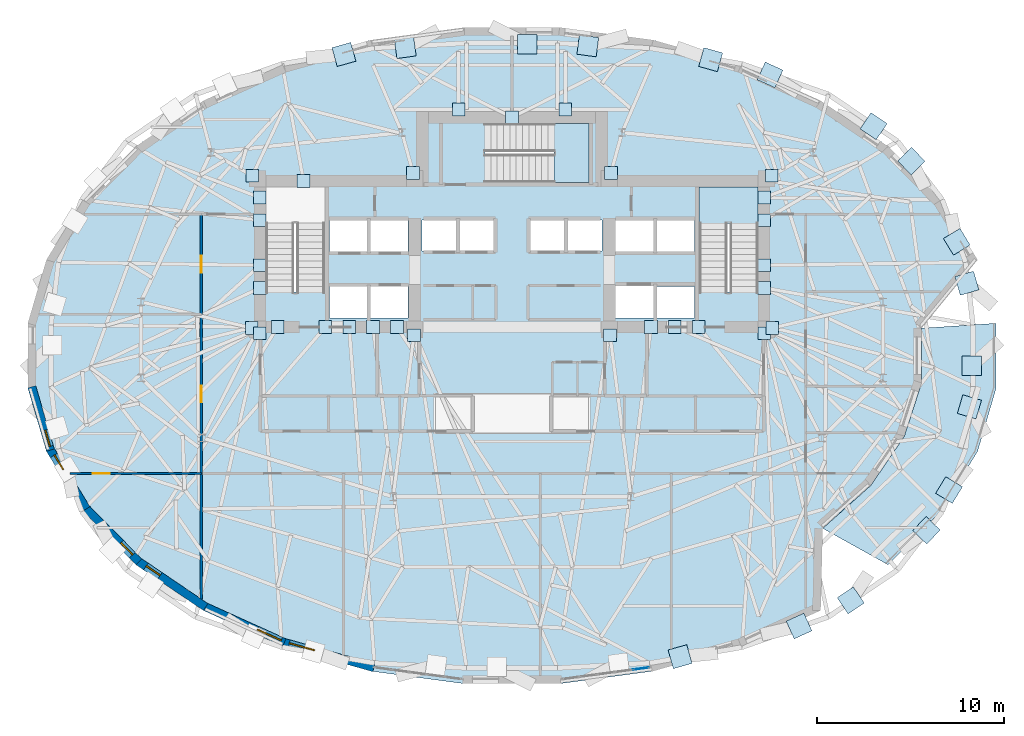
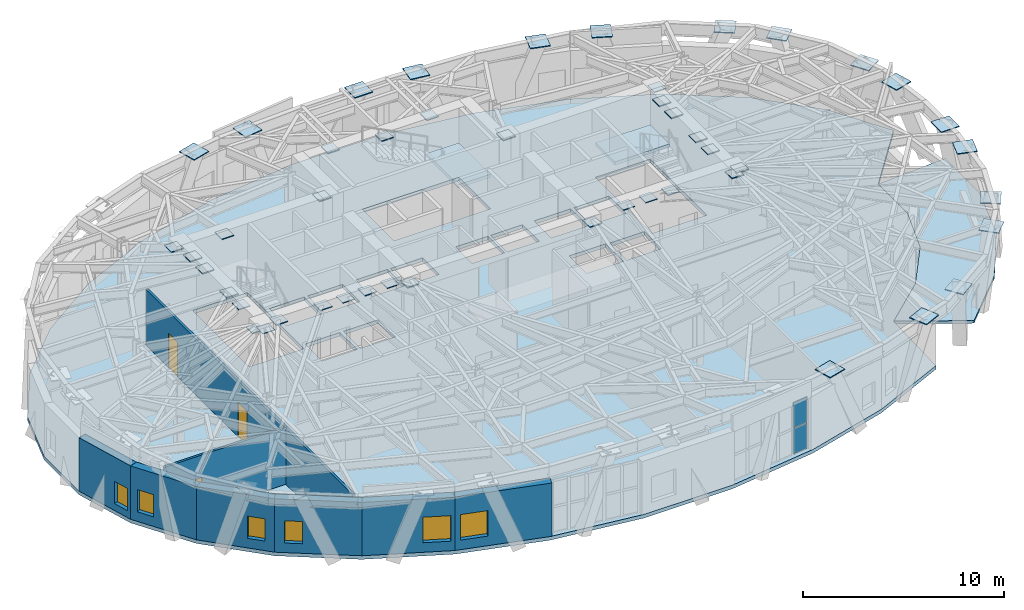
# One storey, part 7 of 16: 49 plates, 8 walls, 6 windows, 4 slabs, 3 doors, 9 openings, 3 elements without a shape of their own.
"""IFC4 building model written with IfcOpenShell, lengths in metres."""

import ifcopenshell
import ifcopenshell.guid

model = None  # the IFC model being written
_history = None  # IfcOwnerHistory: only IFC2X3 demands one
_inside = {}  # id of a spatial element -> (the spatial element, [elements in it])
_under = {}  # id of a project, library or spatial element -> (it, [spatial elements below it])
_declared = {}  # id of a project -> (the project, [libraries it declares])
_typed = {}  # id of a type object -> (the type object, [elements of that type])
_made_of = {}  # id of a material, layer set ... -> (it, [elements and type objects made of it])


def new_model(schema):
    """Start an empty IFC model of exactly this schema.

    Asked for "IFC4X3", IfcOpenShell would pick the latest addendum, in which some entities
    have other attributes; the version numbers below select the first issue.
    IFC2X3 requires an IfcOwnerHistory on every rooted entity: one is made here for all.
    """
    global model, _history
    if schema == "IFC4X3":
        model = ifcopenshell.file(schema_version=(4, 3, 0, 0))
    else:
        model = ifcopenshell.file(schema=schema)
    _inside.clear()
    _under.clear()
    _declared.clear()
    _typed.clear()
    _made_of.clear()
    _history = None
    if model.schema == "IFC2X3":
        org = make("IfcOrganization", Name="unknown")
        user = make(
            "IfcPersonAndOrganization",
            ThePerson=make("IfcPerson", FamilyName="unknown"),
            TheOrganization=org,
        )
        app = make(
            "IfcApplication",
            ApplicationDeveloper=org,
            Version="unknown",
            ApplicationFullName="unknown",
            ApplicationIdentifier="unknown",
        )
        _history = make(
            "IfcOwnerHistory",
            OwningUser=user,
            OwningApplication=app,
            ChangeAction="ADDED",
            CreationDate=0,
        )
    return model


def make(cls, **values):
    """One entity of the class cls with the attributes given. An attribute that is None is left unset."""
    return model.create_entity(
        cls, **{name: value for name, value in values.items() if value is not None}
    )


def rooted(cls, **values):
    """An entity with a GlobalId (a new one), such as an element, a storey or a relation."""
    return make(cls, GlobalId=ifcopenshell.guid.new(), OwnerHistory=_history, **values)


def si_unit(unit_type, name, prefix=None):
    """IfcSIUnit, for example si_unit("LENGTHUNIT", "METRE", prefix="MILLI")."""
    return make("IfcSIUnit", UnitType=unit_type, Prefix=prefix, Name=name)


def assignment(units):
    """IfcUnitAssignment: the units of a project."""
    return None if units is None else make("IfcUnitAssignment", Units=units)


def point(xyz):
    """IfcCartesianPoint."""
    return None if xyz is None else make("IfcCartesianPoint", Coordinates=xyz)


def direction(xyz):
    """IfcDirection."""
    return None if xyz is None else make("IfcDirection", DirectionRatios=xyz)


def frame(location, z_axis=None, x_axis=None):
    """IfcAxis2Placement3D, a coordinate frame: its origin and axes. An axis left out is left unset."""
    return make(
        "IfcAxis2Placement3D",
        Location=point(location),
        Axis=direction(z_axis),
        RefDirection=direction(x_axis),
    )


def frame_2d(location, x_axis=None):
    """IfcAxis2Placement2D, a coordinate frame in the plane: its origin and x axis."""
    return make(
        "IfcAxis2Placement2D", Location=point(location), RefDirection=direction(x_axis)
    )


def origin():
    """The frame at (0, 0, 0) with its axes left unset."""
    return frame((0.0, 0.0, 0.0))


def origin_2d():
    """The frame at (0, 0) in the plane with its x axis left unset."""
    return frame_2d((0.0, 0.0))


def place(relative_to, where):
    """IfcLocalPlacement: puts the frame where relative to a parent placement (None: the world)."""
    return make(
        "IfcLocalPlacement", PlacementRelTo=relative_to, RelativePlacement=where
    )


def context(
    kind, dimensions, precision=None, world=None, true_north=None, identifier=None
):
    """IfcGeometricRepresentationContext, for example the 3D "Model" context."""
    return make(
        "IfcGeometricRepresentationContext",
        ContextIdentifier=identifier,
        ContextType=kind,
        CoordinateSpaceDimension=dimensions,
        Precision=precision,
        WorldCoordinateSystem=world,
        TrueNorth=true_north,
    )


def subcontext(parent, identifier, kind, view, scale=None):
    """IfcGeometricRepresentationSubContext, for example "Body" below "Model"."""
    return make(
        "IfcGeometricRepresentationSubContext",
        ContextIdentifier=identifier,
        ContextType=kind,
        ParentContext=parent,
        TargetScale=scale,
        TargetView=view,
    )


def project(units=None, contexts=None):
    """IfcProject with its units and contexts."""
    return rooted(
        "IfcProject",
        Name="project",
        RepresentationContexts=contexts,
        UnitsInContext=assignment(units),
    )


def spatial(cls, under=None, at=None, **own):
    """A site, building, storey or space (cls), placed at a placement, below another one or the project."""
    s = rooted(cls, ObjectPlacement=at, **own)
    if under is not None:
        _under.setdefault(under.id(), (under, []))[1].append(s)
    return s


def polyline(points):
    """IfcPolyline through the points."""
    return make("IfcPolyline", Points=[point(p) for p in points])


def profile(cls, at=None, kind="AREA", **sizes):
    """A parametric profile (cls). Its sizes go by their IFC names, for example OverallWidth=200.0."""
    return make(cls, ProfileType=kind, Position=at, **sizes)


def rectangle(**sizes):
    """IfcRectangleProfileDef."""
    return profile("IfcRectangleProfileDef", **sizes)


def outline(outer, holes=None, kind="AREA"):
    """IfcArbitraryClosedProfileDef: a profile drawn as a closed curve; with holes, ...WithVoids."""
    if holes is None:
        return make("IfcArbitraryClosedProfileDef", ProfileType=kind, OuterCurve=outer)
    return make(
        "IfcArbitraryProfileDefWithVoids",
        ProfileType=kind,
        OuterCurve=outer,
        InnerCurves=holes,
    )


def extrude(swept, where, along, depth):
    """IfcExtrudedAreaSolid: the profile swept, set in the frame where, extruded along a direction by depth."""
    return make(
        "IfcExtrudedAreaSolid",
        SweptArea=swept,
        Position=where,
        ExtrudedDirection=direction(along),
        Depth=depth,
    )


def shape(context_of_items, identifier, shape_type, items):
    """IfcShapeRepresentation: the items that make up one representation, for example the "Body"."""
    return make(
        "IfcShapeRepresentation",
        ContextOfItems=context_of_items,
        RepresentationIdentifier=identifier,
        RepresentationType=shape_type,
        Items=items,
    )


def material(Name=None, Category=None):
    """IfcMaterial."""
    return make("IfcMaterial", Name=Name, Category=Category)


def layer(
    of_material, thickness, ventilated=None, Name=None, Category=None, Priority=None
):
    """IfcMaterialLayer: one layer of a wall or slab, of a material (None: an air gap)."""
    return make(
        "IfcMaterialLayer",
        Material=of_material,
        LayerThickness=thickness,
        IsVentilated=ventilated,
        Name=Name,
        Category=Category,
        Priority=Priority,
    )


def layer_set(layers, Name=None):
    """IfcMaterialLayerSet."""
    return make("IfcMaterialLayerSet", MaterialLayers=layers, LayerSetName=Name)


def made_of(thing, what):
    """Note that an element or type object is made of a material, layer set ...; save() writes the relation."""
    if what is not None:
        _made_of.setdefault(what.id(), (what, []))[1].append(thing)
    return thing


def type_object(cls, material=None, **own):
    """A type object (cls), such as IfcWallType, which elements share."""
    return made_of(rooted(cls, **own), material)


def element(
    cls,
    number,
    at=None,
    inside=None,
    cuts=None,
    type_object=None,
    material=None,
    context=None,
    identifier="Body",
    shape_type=None,
    held_by="IfcProductDefinitionShape",
    body=None,
    shapes=None,
    **own,
):
    """One element of the class cls, such as IfcWall. Its Tag is "e" and its number.

    at: its placement. inside: the storey or other place that contains it. cuts: it is an
    opening in that element (IfcRelVoidsElement). A single representation is given by context,
    identifier, shape_type and body (its items); several are given by shapes. held_by: the class
    of the entity that holds the representations. save() writes the other relations.
    """
    e = rooted(cls, Tag="e%d" % number, ObjectPlacement=at, **own)
    if body is not None:
        shapes = [shape(context, identifier, shape_type, body)]
    if shapes is not None:
        e.Representation = make(held_by, Representations=shapes)
    if inside is not None:
        _inside.setdefault(inside.id(), (inside, []))[1].append(e)
    if cuts is not None:
        rooted(
            "IfcRelVoidsElement", RelatingBuildingElement=cuts, RelatedOpeningElement=e
        )
    if type_object is not None:
        _typed.setdefault(type_object.id(), (type_object, []))[1].append(e)
    return made_of(e, material)


def fill(opening, filler):
    """IfcRelFillsElement: the door or window that sits in an opening."""
    return rooted(
        "IfcRelFillsElement",
        RelatingOpeningElement=opening,
        RelatedBuildingElement=filler,
    )


def aggregate(whole, parts):
    """IfcRelAggregates: a whole, such as a stair, and the parts it consists of."""
    return rooted("IfcRelAggregates", RelatingObject=whole, RelatedObjects=parts)


def save(model, path):
    """Write the relations noted so far, then the file.

    IfcRelAggregates (storeys below a building ...), IfcRelContainedInSpatialStructure (elements
    in a storey), IfcRelDefinesByType, IfcRelAssociatesMaterial and IfcRelDeclares: one each for
    every whole, place, type object, material and project.
    """
    for whole, parts in _under.values():
        aggregate(whole, parts)
    for where, things in _inside.values():
        rooted(
            "IfcRelContainedInSpatialStructure",
            RelatedElements=things,
            RelatingStructure=where,
        )
    for kind, things in _typed.values():
        rooted("IfcRelDefinesByType", RelatedObjects=things, RelatingType=kind)
    for what, things in _made_of.values():
        rooted("IfcRelAssociatesMaterial", RelatedObjects=things, RelatingMaterial=what)
    for by, libraries in _declared.values():
        rooted("IfcRelDeclares", RelatingContext=by, RelatedDefinitions=libraries)
    model.write(path)


model = new_model("IFC4")

# Units and contexts
model_context = context("Model", 3, precision=1e-05, world=origin(), true_north=direction((0.0, 1.0)))
body_context = subcontext(model_context, "Body", "Model", "MODEL_VIEW")
ifc_project = project(units=[si_unit("LENGTHUNIT", "METRE"), si_unit("AREAUNIT", "SQUARE_METRE"), si_unit("VOLUMEUNIT", "CUBIC_METRE"), si_unit("PLANEANGLEUNIT", "RADIAN"), si_unit("MASSUNIT", "GRAM", prefix="KILO")], contexts=[model_context])

# Site, building, storey
site_placement = place(None, origin())
site = spatial("IfcSite", under=ifc_project, at=site_placement, CompositionType="ELEMENT")
building_placement = place(site_placement, origin())
building = spatial("IfcBuilding", under=site, at=building_placement, Name="Keldmark Tower", CompositionType="ELEMENT")
storey_placement = place(building_placement, frame((0.0, 0.0, 139.60009765625)))
storey = spatial("IfcBuildingStorey", under=building, at=storey_placement, Name="L37", CompositionType="ELEMENT", Elevation=139.60009765625)

# Plates
ifc_material_1 = material(Name="Steel ASTM A572 Grade 50", Category="steel")
ifc_layer_1 = layer(ifc_material_1, 0.06005859375)
ifc_layer_set_1 = layer_set([ifc_layer_1], Name="Steel ASTM A572 Grade 50")
plate_type_1 = type_object("IfcPlateType", Name="Belt Truss Kink Node Assembly KN01 60 mm", PredefinedType="USERDEFINED", material=ifc_layer_set_1)
for number, where, z_axis, x_axis, name in (
    (1, (13.91162109375, 1.473388671875, 3.72412109375), (0.0, 0.0, 1.0), (1.0, 0.0, 0.0), "L37 Core Wall Cast-In Embed Plate 1088"),
    (2, (13.878173828125, 9.608154296875, 3.72412109375), (0.0, 0.0, 1.0), (1.0, 0.0, 0.0), "L37 Core Wall Cast-In Embed Plate 1089"),
    (3, (5.28515625, 9.758544921875, 3.72412109375), (0.0, 0.0, 1.0), (1.0, 0.0, 0.0), "L37 Core Wall Cast-In Embed Plate 1090"),
    (4, (-5.28515625, 9.758544921875, 3.72412109375), (0.0, 0.0, 1.0), (1.0, 0.0, 0.0), "L37 Core Wall Cast-In Embed Plate 1091"),
    (5, (-13.878173828125, 9.608154296875, 3.72412109375), (0.0, 0.0, 1.0), (1.0, 0.0, 0.0), "L37 Core Wall Cast-In Embed Plate 1092"),
    (6, (-13.91162109375, 1.473388671875, 3.72412109375), (0.0, 0.0, 1.0), (1.0, 0.0, 0.0), "L37 Core Wall Cast-In Embed Plate 1093"),
    (7, (-5.24072265625, 1.08251953125, 3.72412109375), (0.0, 0.0, 1.0), (1.0, 0.0, 0.0), "L37 Core Wall Cast-In Embed Plate 1094"),
    (8, (5.24072265625, 1.08251953125, 3.72412109375), (0.0, 0.0, 1.0), (1.0, 0.0, 0.0), "L37 Core Wall Cast-In Embed Plate 1095"),
    (9, (13.47509765625, 8.44287109375, 3.72412109375), (0.0, 0.0, 1.0), (1.0, 0.0, 0.0), "L37 Core Wall Cast-In Embed Plate 1096"),
    (10, (-13.47509765625, 8.44287109375, 3.72412109375), (0.0, 0.0, 1.0), (1.0, 0.0, 0.0), "L37 Core Wall Cast-In Embed Plate 1097"),
    (11, (-7.425048828125, 1.52490234375, 3.72412109375), (0.0, 0.0, 1.0), (1.0, 0.0, 0.0), "L37 Core Wall Cast-In Embed Plate 1098"),
    (12, (7.425048828125, 1.52490234375, 3.72412109375), (0.0, 0.0, 1.0), (1.0, 0.0, 0.0), "L37 Core Wall Cast-In Embed Plate 1099"),
    (13, (-9.97509765625, 1.52490234375, 3.72412109375), (0.0, 0.0, 1.0), (1.0, 0.0, 0.0), "L37 Core Wall Cast-In Embed Plate 1100"),
    (14, (13.47509765625, 1.199951171875, 3.72412109375), (0.0, 0.0, 1.0), (1.0, 0.0, 0.0), "L37 Core Wall Cast-In Embed Plate 1101"),
    (15, (13.47509765625, 3.6142578125, 3.72412109375), (0.0, 0.0, 1.0), (1.0, 0.0, 0.0), "L37 Core Wall Cast-In Embed Plate 1102"),
    (16, (13.47509765625, 4.8212890625, 3.72412109375), (0.0, 0.0, 1.0), (1.0, 0.0, 0.0), "L37 Core Wall Cast-In Embed Plate 1103"),
    (17, (13.47509765625, 7.235595703125, 3.72412109375), (0.0, 0.0, 1.0), (1.0, 0.0, 0.0), "L37 Core Wall Cast-In Embed Plate 1104"),
    (18, (-13.47509765625, 7.235595703125, 3.72412109375), (0.0, 0.0, 1.0), (1.0, 0.0, 0.0), "L37 Core Wall Cast-In Embed Plate 1105"),
    (19, (-13.47509765625, 4.8212890625, 3.72412109375), (0.0, 0.0, 1.0), (1.0, 0.0, 0.0), "L37 Core Wall Cast-In Embed Plate 1106"),
    (20, (-13.47509765625, 3.6142578125, 3.72412109375), (0.0, 0.0, 1.0), (1.0, 0.0, 0.0), "L37 Core Wall Cast-In Embed Plate 1107"),
    (21, (-12.52490234375, 1.52490234375, 3.72412109375), (0.0, 0.0, 1.0), (1.0, 0.0, 0.0), "L37 Core Wall Cast-In Embed Plate 1108"),
    (22, (-13.47509765625, 1.199951171875, 3.72412109375), (0.0, 0.0, 1.0), (1.0, 0.0, 0.0), "L37 Core Wall Cast-In Embed Plate 1109"),
    (23, (-8.699951171875, 1.52490234375, 3.72412109375), (0.0, 0.0, 1.0), (1.0, 0.0, 0.0), "L37 Core Wall Cast-In Embed Plate 1110"),
    (24, (-6.14990234375, 1.52490234375, 3.72412109375), (0.0, 0.0, 1.0), (1.0, 0.0, 0.0), "L37 Core Wall Cast-In Embed Plate 1111"),
    (25, (9.97509765625, 1.52490234375, 3.72412109375), (0.0, 0.0, 1.0), (1.0, 0.0, 0.0), "L37 Core Wall Cast-In Embed Plate 1112"),
    (26, (8.699951171875, 1.52490234375, 3.72412109375), (0.0, 0.0, 1.0), (1.0, 0.0, 0.0), "L37 Core Wall Cast-In Embed Plate 1113"),
    (27, (-2.85009765625, 13.14990234375, 3.72412109375), (0.0, 0.0, 1.0), (1.0, 0.0, 0.0), "L37 Core Wall Cast-In Embed Plate 1114"),
    (28, (2.85009765625, 13.14990234375, 3.72412109375), (0.0, 0.0, 1.0), (1.0, 0.0, 0.0), "L37 Core Wall Cast-In Embed Plate 1115"),
    (29, (0.0, 12.72509765625, 3.72412109375), (0.0, 0.0, 1.0), (1.0, 0.0, 0.0), "L37 Core Wall Cast-In Embed Plate 1116"),
    (30, (-11.1357421875, 9.324951171875, 3.72412109375), (0.0, 0.0, 1.0), (1.0, 0.0, 0.0), "L37 Core Wall Cast-In Embed Plate 1117"),
):
    element("IfcPlate", number, at=place(storey_placement, frame(where, z_axis=z_axis, x_axis=x_axis)), inside=storey, type_object=plate_type_1, Name=name, ObjectType="CAP PLATE", PredefinedType="USERDEFINED", context=body_context, shape_type="SweptSolid", body=[
        extrude(rectangle(XDim=0.679931640625, YDim=0.679931640625, at=origin_2d()), origin(), (0.0, 0.0, 1.0), 0.054931640625),
    ])
ifc_material_2 = material(Name="Steel ASTM A572 Grade 50", Category="steel")
ifc_layer_2 = layer(ifc_material_2, 0.054931640625)
ifc_layer_set_2 = layer_set([ifc_layer_2], Name="Steel ASTM A572 Grade 50")
plate_type_2 = type_object("IfcPlateType", Name="Diagrid Node Assembly DN03 55 mm", PredefinedType="USERDEFINED", material=ifc_layer_set_2)
for number, where, z_axis, x_axis, name in (
    (31, (24.310302734375, 3.864990234375, 3.87255859375), (0.0, 0.0, 1.0), (-0.281671660596, 0.959510852267, 0.0), "L37 Diagrid Node Assembly 01"),
    (32, (23.76611328125, 6.081787109375, 3.87255859375), (0.0, 0.0, 1.0), (-0.521456478554, 0.85327788028, 0.0), "L37 Diagrid Node Assembly 02"),
    (33, (21.344482421875, 10.387939453125, 3.87255859375), (0.0, 0.0, 1.0), (-0.702153052995, 0.712026045991, 0.0), "L37 Diagrid Node Assembly 03"),
    (34, (19.322509765625, 12.255859375, 3.87255859375), (0.0, 0.0, 1.0), (-0.827864584251, 0.560928007986, 0.0), "L37 Diagrid Node Assembly 04"),
    (35, (13.790283203125, 14.99755859375, 3.87255859375), (0.0, 0.0, 1.0), (-0.910971840153, 0.412468552072, 0.0), "L37 Diagrid Node Assembly 05"),
    (36, (10.615478515625, 15.813232421875, 3.87255859375), (0.0, 0.0, 1.0), (-0.962786145149, 0.270264386684, 0.0), "L37 Diagrid Node Assembly 06"),
    (37, (4.05078125, 16.5498046875, 3.87255859375), (0.0, 0.0, 1.0), (-0.991029909341, 0.133640258869, 0.0), "L37 Diagrid Node Assembly 07"),
    (38, (0.802734375, 16.635986328125, 3.87255859375), (0.0, 0.0, 1.0), (-1.0, 0.0, 0.0), "L37 Diagrid Node Assembly 08"),
    (39, (-5.70458984375, 16.458984375, 3.87255859375), (0.0, 0.0, 1.0), (-0.991029909341, -0.133640258869, 0.0), "L37 Diagrid Node Assembly 09"),
    (40, (-8.98095703125, 16.0908203125, 3.87255859375), (0.0, 0.0, 1.0), (-0.962786145149, -0.270264386684, 0.0), "L37 Diagrid Node Assembly 10"),
    (41, (8.98095703125, -16.0908203125, 3.87255859375), (0.0, 0.0, 1.0), (0.962786145149, 0.270264386684, 0.0), "L37 Diagrid Node Assembly 26"),
    (42, (15.3388671875, -14.45068359375, 3.87255859375), (0.0, 0.0, 1.0), (0.910971840153, 0.412468552072, 0.0), "L37 Diagrid Node Assembly 27"),
    (43, (18.099365234375, -13.082275390625, 3.87255859375), (0.0, 0.0, 1.0), (0.827864584251, 0.560928007986, 0.0), "L37 Diagrid Node Assembly 28"),
    (44, (22.148193359375, -9.3349609375, 3.87255859375), (0.0, 0.0, 1.0), (0.702153052995, 0.712026045991, 0.0), "L37 Diagrid Node Assembly 29"),
    (45, (23.3544921875, -7.186279296875, 3.87255859375), (0.0, 0.0, 1.0), (0.521456478554, 0.85327788028, 0.0), "L37 Diagrid Node Assembly 30"),
    (46, (24.443359375, -2.740234375, 3.87255859375), (0.0, 0.0, 1.0), (0.281671660596, 0.959510852267, 0.0), "L37 Diagrid Node Assembly 31"),
    (47, (24.57177734375, -0.542236328125, 3.87255859375), (0.0, 0.0, 1.0), (0.0, 1.0, 0.0), "L37 Diagrid Node Assembly 32"),
):
    element("IfcPlate", number, at=place(storey_placement, frame(where, z_axis=z_axis, x_axis=x_axis)), inside=storey, type_object=plate_type_2, Name=name, ObjectType="GUSSET", PredefinedType="USERDEFINED", context=body_context, shape_type="SweptSolid", body=[
        extrude(rectangle(XDim=1.0400390625, YDim=1.0400390625, at=origin_2d()), origin(), (0.0, 0.0, 1.0), 0.054931640625),
    ])

# Slab
ifc_material_3 = material(Name="Concrete C35/45", Category="concrete")
ifc_layer_3 = layer(ifc_material_3, 0.1650390625)
ifc_layer_set_3 = layer_set([ifc_layer_3], Name="Concrete C35/45")
slab_type_1 = type_object("IfcSlabType", Name="Planted Sky-Garden Terrace Slab 165 mm", PredefinedType="ROOF", material=ifc_layer_set_3)
slab_1_placement = place(storey_placement, frame((0.0, 0.0, -0.1650390625)))
element("IfcSlab", 48, at=slab_1_placement, inside=storey, type_object=slab_type_1, Name="Planted Sky-Garden Terrace Slab", PredefinedType="ROOF", context=body_context, shape_type="SweptSolid", body=[
    extrude(outline(polyline([(20.098388671875, -11.177978515625), (22.929931640625, -8.305908203125), (24.88037109375, -5.11474609375), (25.874755859375, -1.72705078125), (25.874755859375, 1.72705078125), (21.8837890625, 1.460693359375), (21.8837890625, -1.460693359375), (20.96240234375, -4.309326171875), (19.169189453125, -6.943603515625), (16.6025390625, -9.23388671875), (20.098388671875, -11.177978515625)])), origin(), (0.0, 0.0, 1.0), 0.1650390625),
])

# Stair, slab
ifc_material_4 = material(Name="Concrete C40/50", Category="concrete")
stair_type = type_object("IfcStairType", Name="Precast Concrete Core Exit Stair", PredefinedType="HALF_TURN_STAIR", material=ifc_material_4)
stair_1_placement = place(storey_placement, origin())
stair_1 = element("IfcStair", 49, at=stair_1_placement, inside=storey, type_object=stair_type, Name="L37 Exit Stair ST2", PredefinedType="HALF_TURN_STAIR")
ifc_material_5 = material(Name="Concrete C40/50", Category="concrete")
ifc_layer_4 = layer(ifc_material_5, 0.199951171875)
ifc_layer_set_4 = layer_set([ifc_layer_4], Name="Concrete C40/50")
slab_type_2 = type_object("IfcSlabType", Name="Reinforced Concrete Stair Landing 200 mm", PredefinedType="LANDING", material=ifc_layer_set_4)
slab_2_placement = place(storey_placement, frame((0.0, 0.0, 1.89990234375)))
slab_2 = element("IfcSlab", 50, at=slab_2_placement, type_object=slab_type_2, Name="ST2 landing 1", PredefinedType="LANDING", context=body_context, shape_type="SweptSolid", body=[
    extrude(outline(polyline([(13.14990234375, 7.070068359375), (13.14990234375, 9.0), (10.0, 9.0), (10.0, 7.070068359375), (13.14990234375, 7.070068359375)])), origin(), (0.0, 0.0, 1.0), 0.199951171875),
])
aggregate(stair_1, [slab_2])

stair_2_placement = place(storey_placement, origin())
stair_2 = element("IfcStair", 51, at=stair_2_placement, inside=storey, type_object=stair_type, Name="L37 Exit Stair ST3", PredefinedType="HALF_TURN_STAIR")
slab_3_placement = place(storey_placement, frame((0.0, 0.0, 1.89990234375)))
slab_3 = element("IfcSlab", 52, at=slab_3_placement, type_object=slab_type_2, Name="ST3 landing 1", PredefinedType="LANDING", context=body_context, shape_type="SweptSolid", body=[
    extrude(outline(polyline([(2.2451171875, 9.25), (4.10498046875, 9.25), (4.10498046875, 12.39990234375), (2.2451171875, 12.39990234375), (2.2451171875, 9.25)])), origin(), (0.0, 0.0, 1.0), 0.199951171875),
])
aggregate(stair_2, [slab_3])

# Slab
ifc_material_6 = material(Name="Concrete C35/45", Category="concrete")
ifc_layer_5 = layer(ifc_material_6, 0.219970703125)
ifc_layer_set_5 = layer_set([ifc_layer_5], Name="Concrete C35/45")
slab_type_3 = type_object("IfcSlabType", Name="Sky Lobby Floor Slab 220 mm", PredefinedType="FLOOR", material=ifc_layer_set_5)
slab_4_placement = place(storey_placement, frame((0.0, 0.0, -0.22021484375)))
element("IfcSlab", 53, at=slab_4_placement, inside=storey, type_object=slab_type_3, Name="L37 Composite Structural Floor Slab", PredefinedType="FLOOR", context=body_context, shape_type="SweptSolid", body=[
    extrude(outline(polyline([(21.8837890625, 1.460693359375), (24.88037109375, 5.11474609375), (22.929931640625, 8.305908203125), (20.098388671875, 11.177978515625), (16.494140625, 13.620361328125), (12.25634765625, 15.53955078125), (7.54736328125, 16.861328125), (2.54833984375, 17.53515625), (-2.54833984375, 17.53515625), (-7.54736328125, 16.861328125), (-12.25634765625, 15.53955078125), (-16.494140625, 13.620361328125), (-20.098388671875, 11.177978515625), (-22.929931640625, 8.305908203125), (-24.88037109375, 5.11474609375), (-25.874755859375, 1.72705078125), (-25.874755859375, -1.72705078125), (-24.88037109375, -5.11474609375), (-22.929931640625, -8.305908203125), (-20.098388671875, -11.177978515625), (-16.494140625, -13.620361328125), (-12.25634765625, -15.53955078125), (-7.54736328125, -16.861328125), (-2.54833984375, -17.53515625), (2.54833984375, -17.53515625), (7.54736328125, -16.861328125), (12.25634765625, -15.53955078125), (16.494140625, -13.620361328125), (16.6025390625, -9.23388671875), (19.169189453125, -6.943603515625), (20.96240234375, -4.309326171875), (21.8837890625, -1.460693359375), (21.8837890625, 1.460693359375)]), holes=[polyline([(-10.0, 3.385009765625), (-10.0, 9.0), (-13.14990234375, 9.0), (-13.14990234375, 3.385009765625), (-10.0, 3.385009765625)]), polyline([(13.14990234375, 3.385009765625), (13.14990234375, 9.0), (10.0, 9.0), (10.0, 3.385009765625), (13.14990234375, 3.385009765625)]), polyline([(-1.43994140625, 9.25), (4.10498046875, 9.25), (4.10498046875, 12.39990234375), (-1.43994140625, 12.39990234375), (-1.43994140625, 9.25)]), polyline([(-9.75, 2.0), (-7.75, 2.0), (-7.75, 3.699951171875), (-9.75, 3.699951171875), (-9.75, 2.0)]), polyline([(7.75, 2.0), (9.75, 2.0), (9.75, 3.699951171875), (7.75, 3.699951171875), (7.75, 2.0)]), polyline([(5.449951171875, 2.0), (7.550048828125, 2.0), (7.550048828125, 3.75), (5.449951171875, 3.75), (5.449951171875, 2.0)]), polyline([(-4.800048828125, 5.60009765625), (-2.949951171875, 5.60009765625), (-2.949951171875, 7.25), (-4.800048828125, 7.25), (-4.800048828125, 5.60009765625)]), polyline([(-2.800048828125, 5.60009765625), (-0.949951171875, 5.60009765625), (-0.949951171875, 7.25), (-2.800048828125, 7.25), (-2.800048828125, 5.60009765625)]), polyline([(0.949951171875, 5.60009765625), (2.800048828125, 5.60009765625), (2.800048828125, 7.25), (0.949951171875, 7.25), (0.949951171875, 5.60009765625)]), polyline([(2.949951171875, 5.60009765625), (4.800048828125, 5.60009765625), (4.800048828125, 7.25), (2.949951171875, 7.25), (2.949951171875, 5.60009765625)]), polyline([(-9.75, 5.550048828125), (-7.75, 5.550048828125), (-7.75, 7.25), (-9.75, 7.25), (-9.75, 5.550048828125)]), polyline([(-7.550048828125, 5.550048828125), (-5.550048828125, 5.550048828125), (-5.550048828125, 7.25), (-7.550048828125, 7.25), (-7.550048828125, 5.550048828125)]), polyline([(-7.550048828125, 2.0), (-5.550048828125, 2.0), (-5.550048828125, 3.699951171875), (-7.550048828125, 3.699951171875), (-7.550048828125, 2.0)]), polyline([(5.449951171875, 5.550048828125), (7.550048828125, 5.550048828125), (7.550048828125, 7.25), (5.449951171875, 7.25), (5.449951171875, 5.550048828125)]), polyline([(7.75, 5.550048828125), (9.75, 5.550048828125), (9.75, 7.25), (7.75, 7.25), (7.75, 5.550048828125)])]), origin(), (0.0, 0.0, 1.0), 0.22021484375),
])

# Curtain wall, plates
ifc_material_7 = material(Name="Unitized Thermally Broken Aluminum and Triple Low-E Glazing", Category="aluminium")
ifc_layer_6 = layer(ifc_material_7, 0.219970703125)
ifc_layer_set_6 = layer_set([ifc_layer_6], Name="Unitized Thermally Broken Aluminum and Triple Low-E Glazing")
curtain_wall_type = type_object("IfcCurtainWallType", Name="Sky Lobby Amenity Curtain Wall System", PredefinedType="NOTDEFINED", material=ifc_layer_set_6)
curtain_wall_placement = place(storey_placement, origin())
curtain_wall = element("IfcCurtainWall", 54, at=curtain_wall_placement, inside=storey, type_object=curtain_wall_type, Name="L37 Sky Lobby Amenity Curtain Wall System CW-L37-25", PredefinedType="NOTDEFINED")
ifc_material_8 = material(Name="Triple Silver Low-E Insulated Glass Unit", Category="glass")
ifc_layer_7 = layer(ifc_material_8, 0.035888671875)
ifc_layer_set_7 = layer_set([ifc_layer_7], Name="Triple Silver Low-E Insulated Glass Unit")
plate_type_3 = type_object("IfcPlateType", Name="Triple Low-E Vision Glazing Panel 36 mm", PredefinedType="CURTAIN_PANEL", material=ifc_layer_set_7)
plate_1_placement = place(storey_placement, frame((6.892333984375, -16.7275390625, 0.06005859375), z_axis=(0.0, 0.0, 1.0), x_axis=(-0.991035667397, -0.133597552172, 0.0)))
plate_1 = element("IfcPlate", 55, at=plate_1_placement, type_object=plate_type_3, Name="CW panel 1.1", PredefinedType="CURTAIN_PANEL", context=body_context, shape_type="SweptSolid", body=[
    extrude(rectangle(XDim=0.86279296875, YDim=0.035888671875, at=origin_2d()), origin(), (0.0, 0.0, 1.0), 1.529052734375),
])
plate_2_placement = place(storey_placement, frame((6.892333984375, -16.7275390625, 1.64892578125), z_axis=(0.0, 0.0, 1.0), x_axis=(-0.991035667397, -0.133597552172, 0.0)))
plate_2 = element("IfcPlate", 56, at=plate_2_placement, type_object=plate_type_3, Name="CW panel 1.2", PredefinedType="CURTAIN_PANEL", context=body_context, shape_type="SweptSolid", body=[
    extrude(rectangle(XDim=0.86279296875, YDim=0.035888671875, at=origin_2d()), origin(), (0.0, 0.0, 1.0), 1.529052734375),
])
aggregate(curtain_wall, [plate_1, plate_2])

# Wall, openings, doors
ifc_material_9 = material(Name="Acoustic Double-Layer Gypsum Corridor Partition", Category="gypsum")
ifc_layer_8 = layer(ifc_material_9, 0.139892578125)
ifc_layer_set_8 = layer_set([ifc_layer_8], Name="Acoustic Double-Layer Gypsum Corridor Partition")
wall_type_1 = type_object("IfcWallType", Name="Acoustic Corridor Partition 140 mm", PredefinedType="PARTITIONING", material=ifc_layer_set_8)
wall_1_placement = place(storey_placement, frame((-16.60009765625, -13.007568359375, 0.0), z_axis=(0.0, 0.0, 1.0), x_axis=(0.0, 1.0, 0.0)))
wall_1 = element("IfcWall", 57, at=wall_1_placement, inside=storey, type_object=wall_type_1, Name="L37 Acoustic Corridor Partition 140 mm COR-W", PredefinedType="PARTITIONING", context=body_context, shape_type="SweptSolid", body=[
    extrude(rectangle(XDim=20.5576171875, YDim=0.139892578125, at=frame_2d((10.27880859375, 0.0))), origin(), (0.0, 0.0, 1.0), 3.39794921875),
])
opening_1_placement = place(wall_1_placement, frame((10.5078125, 0.0, 0.0)))
opening_1 = element("IfcOpeningElement", 58, at=opening_1_placement, cuts=wall_1, Name="Opening D-IN090", PredefinedType="OPENING", context=body_context, shape_type="SweptSolid", body=[
    extrude(rectangle(XDim=0.89990234375, YDim=2.10009765625, at=frame_2d((0.449951171875, 1.050048828125))), frame((0.0, 0.079833984375, 0.0), z_axis=(0.0, -1.0, 0.0), x_axis=(1.0, 0.0, 0.0)), (0.0, 0.0, 1.0), 0.159912109375),
])
opening_2_placement = place(wall_1_placement, frame((17.4326171875, 0.0, 0.0)))
opening_2 = element("IfcOpeningElement", 59, at=opening_2_placement, cuts=wall_1, Name="Opening D-IN090", PredefinedType="OPENING", context=body_context, shape_type="SweptSolid", body=[
    extrude(rectangle(XDim=0.89990234375, YDim=2.10009765625, at=frame_2d((0.449951171875, 1.050048828125))), frame((0.0, 0.079833984375, 0.0), z_axis=(0.0, -1.0, 0.0), x_axis=(1.0, 0.0, 0.0)), (0.0, 0.0, 1.0), 0.159912109375),
])
ifc_material_10 = material(Name="Stained American White Oak Veneer", Category="wood")
door_type = type_object("IfcDoorType", Name="Interior Door 900x2100", OperationType="NOTDEFINED", PredefinedType="DOOR", material=ifc_material_10)
door_1_placement = place(opening_1_placement, origin())
door_1 = element("IfcDoor", 60, at=door_1_placement, inside=storey, type_object=door_type, Name="L37 Interior Door 900x2100 D-WR-1-L37", OperationType="SINGLE_SWING_RIGHT", OverallHeight=2.10009765625, OverallWidth=0.89990234375, PredefinedType="DOOR", context=body_context, shape_type="SweptSolid", body=[
    extrude(rectangle(XDim=0.89990234375, YDim=2.10009765625, at=frame_2d((0.449951171875, 1.050048828125))), frame((0.0, 0.02490234375, 0.0), z_axis=(0.0, -1.0, 0.0), x_axis=(1.0, 0.0, 0.0)), (0.0, 0.0, 1.0), 0.050048828125),
])
fill(opening_1, door_1)
door_2_placement = place(opening_2_placement, origin())
door_2 = element("IfcDoor", 61, at=door_2_placement, inside=storey, type_object=door_type, Name="L37 Interior Door 900x2100 D-WR-2-L37", OperationType="SINGLE_SWING_RIGHT", OverallHeight=2.10009765625, OverallWidth=0.89990234375, PredefinedType="DOOR", context=body_context, shape_type="SweptSolid", body=[
    extrude(rectangle(XDim=0.89990234375, YDim=2.10009765625, at=frame_2d((0.449951171875, 1.050048828125))), frame((0.0, 0.02490234375, 0.0), z_axis=(0.0, -1.0, 0.0), x_axis=(1.0, 0.0, 0.0)), (0.0, 0.0, 1.0), 0.050048828125),
])
fill(opening_2, door_2)

# Wall, opening, door
ifc_material_11 = material(Name="Acoustic Gypsum Board Interior Partition", Category="gypsum")
ifc_layer_9 = layer(ifc_material_11, 0.1298828125)
ifc_layer_set_9 = layer_set([ifc_layer_9], Name="Acoustic Gypsum Board Interior Partition")
wall_type_2 = type_object("IfcWallType", Name="Interior Partition 130 mm", PredefinedType="PARTITIONING", material=ifc_layer_set_9)
wall_2_placement = place(storey_placement, frame((-23.631103515625, -6.300048828125, 0.0), z_axis=(0.0, 0.0, 1.0), x_axis=(1.0, 0.0, 0.0)))
wall_2 = element("IfcWall", 62, at=wall_2_placement, inside=storey, type_object=wall_type_2, Name="L37 Interior Partition 130 mm W-CAP-S", PredefinedType="PARTITIONING", context=body_context, shape_type="SweptSolid", body=[
    extrude(rectangle(XDim=7.031005859375, YDim=0.1298828125, at=frame_2d((3.515625, 0.0))), origin(), (0.0, 0.0, 1.0), 3.472900390625),
])
opening_3_placement = place(wall_2_placement, frame((1.22998046875, 0.0, 0.0)))
opening_3 = element("IfcOpeningElement", 63, at=opening_3_placement, cuts=wall_2, Name="Opening D-IN090", PredefinedType="OPENING", context=body_context, shape_type="SweptSolid", body=[
    extrude(rectangle(XDim=0.89990234375, YDim=2.10009765625, at=frame_2d((0.449951171875, 1.050048828125))), frame((0.0, 0.074951171875, 0.0), z_axis=(0.0, -1.0, 0.0), x_axis=(1.0, 0.0, 0.0)), (0.0, 0.0, 1.0), 0.14990234375),
])
door_3_placement = place(opening_3_placement, origin())
door_3 = element("IfcDoor", 64, at=door_3_placement, inside=storey, type_object=door_type, Name="L37 Interior Door 900x2100 D-WRSW-L37", OperationType="SINGLE_SWING_LEFT", OverallHeight=2.10009765625, OverallWidth=0.89990234375, PredefinedType="DOOR", context=body_context, shape_type="SweptSolid", body=[
    extrude(rectangle(XDim=0.89990234375, YDim=2.10009765625, at=frame_2d((0.449951171875, 1.050048828125))), frame((0.0, 0.02490234375, 0.0), z_axis=(0.0, -1.0, 0.0), x_axis=(1.0, 0.0, 0.0)), (0.0, 0.0, 1.0), 0.050048828125),
])
fill(opening_3, door_3)

# Wall, opening, window
ifc_material_12 = material(Name="Ironspot Manganese Brick and Kasota Buff Limestone Spandrel Assembly", Category="masonry")
ifc_layer_10 = layer(ifc_material_12, 0.43994140625)
ifc_layer_set_10 = layer_set([ifc_layer_10], Name="Ironspot Manganese Brick and Kasota Buff Limestone Spandrel Assembly")
wall_type_3 = type_object("IfcWallType", Name="Tower Brick Pier and Spandrel Wall 440 mm", PredefinedType="STANDARD", material=ifc_layer_set_10)
wall_3_placement = place(storey_placement, frame((-24.669189453125, -5.052734375, 0.0), z_axis=(0.0, 0.0, 1.0), x_axis=(-0.28170956188, 0.959499725245, 0.0)))
wall_3 = element("IfcWall", 65, at=wall_3_placement, inside=storey, type_object=wall_type_3, Name="L37 Exterior Brick and Spandrel Wall 17", PredefinedType="STANDARD", context=body_context, shape_type="SweptSolid", body=[
    extrude(rectangle(XDim=3.53076171875, YDim=0.43994140625, at=frame_2d((1.765380859375, 0.0))), origin(), (0.0, 0.0, 1.0), 3.241943359375),
])
opening_4_placement = place(wall_3_placement, frame((0.199951171875, 0.0, 0.419921875)))
opening_4 = element("IfcOpeningElement", 66, at=opening_4_placement, cuts=wall_3, Name="Opening W-09", PredefinedType="OPENING", context=body_context, shape_type="SweptSolid", body=[
    extrude(rectangle(XDim=0.89990234375, YDim=1.35009765625, at=frame_2d((0.449951171875, 0.675048828125))), frame((0.0, 0.22998046875, 0.0), z_axis=(0.0, -1.0, 0.0), x_axis=(1.0, 0.0, 0.0)), (0.0, 0.0, 1.0), 0.4599609375),
])
ifc_material_13 = material(Name="Thermally Broken Anodized Aluminum and Triple Low-E Argon Glazing", Category="aluminium")
window_type_1 = type_object("IfcWindowType", Name="Corner Pier Deep-Set Window 900x1350", PartitioningType="SINGLE_PANEL", PredefinedType="WINDOW", material=ifc_material_13)
window_1_placement = place(opening_4_placement, origin())
window_1 = element("IfcWindow", 67, at=window_1_placement, inside=storey, type_object=window_type_1, Name="L37 Deep-Set Window 17", OverallHeight=1.35009765625, OverallWidth=0.89990234375, PartitioningType="SINGLE_PANEL", PredefinedType="WINDOW", context=body_context, shape_type="SweptSolid", body=[
    extrude(rectangle(XDim=0.89990234375, YDim=1.35009765625, at=frame_2d((0.449951171875, 0.675048828125))), frame((0.0, -0.010009765625, 0.0), z_axis=(0.0, -1.0, 0.0), x_axis=(1.0, 0.0, 0.0)), (0.0, 0.0, 1.0), 0.06005859375),
])
fill(opening_4, window_1)

wall_4_placement = place(storey_placement, frame((-22.7421875, -8.19140625, 0.0), z_axis=(0.0, 0.0, 1.0), x_axis=(-0.521476412293, 0.853265698022, 0.0)))
wall_4 = element("IfcWall", 68, at=wall_4_placement, inside=storey, type_object=wall_type_3, Name="L37 Exterior Brick and Spandrel Wall 18", PredefinedType="STANDARD", context=body_context, shape_type="SweptSolid", body=[
    extrude(rectangle(XDim=3.740234375, YDim=0.43994140625, at=frame_2d((1.8701171875, 0.0))), origin(), (0.0, 0.0, 1.0), 3.23779296875),
])
opening_5_placement = place(wall_4_placement, frame((2.44091796875, 0.0, 0.580078125)))
opening_5 = element("IfcOpeningElement", 69, at=opening_5_placement, cuts=wall_4, Name="Opening W-09", PredefinedType="OPENING", context=body_context, shape_type="SweptSolid", body=[
    extrude(rectangle(XDim=0.89990234375, YDim=1.35009765625, at=frame_2d((0.449951171875, 0.675048828125))), frame((0.0, 0.22998046875, 0.0), z_axis=(0.0, -1.0, 0.0), x_axis=(1.0, 0.0, 0.0)), (0.0, 0.0, 1.0), 0.4599609375),
])
window_2_placement = place(opening_5_placement, origin())
window_2 = element("IfcWindow", 70, at=window_2_placement, inside=storey, type_object=window_type_1, Name="L37 Deep-Set Window 18", OverallHeight=1.35009765625, OverallWidth=0.89990234375, PartitioningType="SINGLE_PANEL", PredefinedType="WINDOW", context=body_context, shape_type="SweptSolid", body=[
    extrude(rectangle(XDim=0.89990234375, YDim=1.35009765625, at=frame_2d((0.449951171875, 0.675048828125))), frame((0.0, -0.010009765625, 0.0), z_axis=(0.0, -1.0, 0.0), x_axis=(1.0, 0.0, 0.0)), (0.0, 0.0, 1.0), 0.06005859375),
])
fill(opening_5, window_2)

wall_5_placement = place(storey_placement, frame((-19.941650390625, -11.0234375, 0.0), z_axis=(0.0, 0.0, 1.0), x_axis=(-0.702094935552, 0.712083352897, 0.0)))
wall_5 = element("IfcWall", 71, at=wall_5_placement, inside=storey, type_object=wall_type_3, Name="L37 Exterior Brick and Spandrel Wall 19", PredefinedType="STANDARD", context=body_context, shape_type="SweptSolid", body=[
    extrude(rectangle(XDim=4.032958984375, YDim=0.43994140625, at=frame_2d((2.0166015625, 0.0))), origin(), (0.0, 0.0, 1.0), 3.23779296875),
])
opening_6_placement = place(wall_5_placement, frame((0.498291015625, 0.0, 0.580078125)))
opening_6 = element("IfcOpeningElement", 72, at=opening_6_placement, cuts=wall_5, Name="Opening W-09", PredefinedType="OPENING", context=body_context, shape_type="SweptSolid", body=[
    extrude(rectangle(XDim=0.89990234375, YDim=1.35009765625, at=frame_2d((0.449951171875, 0.675048828125))), frame((0.0, 0.22998046875, 0.0), z_axis=(0.0, -1.0, 0.0), x_axis=(1.0, 0.0, 0.0)), (0.0, 0.0, 1.0), 0.4599609375),
])
window_3_placement = place(opening_6_placement, origin())
window_3 = element("IfcWindow", 73, at=window_3_placement, inside=storey, type_object=window_type_1, Name="L37 Deep-Set Window 19", OverallHeight=1.35009765625, OverallWidth=0.89990234375, PartitioningType="SINGLE_PANEL", PredefinedType="WINDOW", context=body_context, shape_type="SweptSolid", body=[
    extrude(rectangle(XDim=0.89990234375, YDim=1.35009765625, at=frame_2d((0.449951171875, 0.675048828125))), frame((0.0, -0.010009765625, 0.0), z_axis=(0.0, -1.0, 0.0), x_axis=(1.0, 0.0, 0.0)), (0.0, 0.0, 1.0), 0.06005859375),
])
fill(opening_6, window_3)

wall_6_placement = place(storey_placement, frame((-16.370849609375, -13.438232421875, 0.0), z_axis=(0.0, 0.0, 1.0), x_axis=(-0.827816201219, 0.56099940909, 0.0)))
wall_6 = element("IfcWall", 74, at=wall_6_placement, inside=storey, type_object=wall_type_3, Name="L37 Exterior Brick and Spandrel Wall 20", PredefinedType="STANDARD", context=body_context, shape_type="SweptSolid", body=[
    extrude(rectangle(XDim=4.353515625, YDim=0.43994140625, at=frame_2d((2.1767578125, 0.0))), origin(), (0.0, 0.0, 1.0), 3.241943359375),
])
opening_7_placement = place(wall_6_placement, frame((2.958251953125, 0.0, 0.580078125)))
opening_7 = element("IfcOpeningElement", 75, at=opening_7_placement, cuts=wall_6, Name="Opening W-09", PredefinedType="OPENING", context=body_context, shape_type="SweptSolid", body=[
    extrude(rectangle(XDim=0.89990234375, YDim=1.35009765625, at=frame_2d((0.449951171875, 0.675048828125))), frame((0.0, 0.22998046875, 0.0), z_axis=(0.0, -1.0, 0.0), x_axis=(1.0, 0.0, 0.0)), (0.0, 0.0, 1.0), 0.4599609375),
])
window_4_placement = place(opening_7_placement, origin())
window_4 = element("IfcWindow", 76, at=window_4_placement, inside=storey, type_object=window_type_1, Name="L37 Deep-Set Window 20", OverallHeight=1.35009765625, OverallWidth=0.89990234375, PartitioningType="SINGLE_PANEL", PredefinedType="WINDOW", context=body_context, shape_type="SweptSolid", body=[
    extrude(rectangle(XDim=0.89990234375, YDim=1.35009765625, at=frame_2d((0.449951171875, 0.675048828125))), frame((0.0, -0.010009765625, 0.0), z_axis=(0.0, -1.0, 0.0), x_axis=(1.0, 0.0, 0.0)), (0.0, 0.0, 1.0), 0.06005859375),
])
fill(opening_7, window_4)

wall_7_placement = place(storey_placement, frame((-12.16552734375, -15.339111328125, 0.0), z_axis=(0.0, 0.0, 1.0), x_axis=(-0.910938924115, 0.412541242221, 0.0)))
wall_7 = element("IfcWall", 77, at=wall_7_placement, inside=storey, type_object=wall_type_3, Name="L37 Exterior Brick and Spandrel Wall 21", PredefinedType="STANDARD", context=body_context, shape_type="SweptSolid", body=[
    extrude(rectangle(XDim=4.652099609375, YDim=0.43994140625, at=frame_2d((2.326171875, 0.0))), origin(), (0.0, 0.0, 1.0), 3.23779296875),
])
opening_8_placement = place(wall_7_placement, frame((0.199951171875, 0.0, 0.580078125)))
opening_8 = element("IfcOpeningElement", 78, at=opening_8_placement, cuts=wall_7, Name="Opening W-08", PredefinedType="OPENING", context=body_context, shape_type="SweptSolid", body=[
    extrude(rectangle(XDim=1.39990234375, YDim=1.550048828125, at=frame_2d((0.699951171875, 0.77490234375))), frame((0.0, 0.22998046875, 0.0), z_axis=(0.0, -1.0, 0.0), x_axis=(1.0, 0.0, 0.0)), (0.0, 0.0, 1.0), 0.4599609375),
])
ifc_material_14 = material(Name="Thermally Broken Anodized Aluminum and Triple Low-E Argon Glazing", Category="aluminium")
window_type_2 = type_object("IfcWindowType", Name="Residential Corner Punched Window 1400x1550", PartitioningType="SINGLE_PANEL", PredefinedType="WINDOW", material=ifc_material_14)
window_5_placement = place(opening_8_placement, origin())
window_5 = element("IfcWindow", 79, at=window_5_placement, inside=storey, type_object=window_type_2, Name="L37 Deep-Set Window 21", OverallHeight=1.550048828125, OverallWidth=1.39990234375, PartitioningType="SINGLE_PANEL", PredefinedType="WINDOW", context=body_context, shape_type="SweptSolid", body=[
    extrude(rectangle(XDim=1.39990234375, YDim=1.550048828125, at=frame_2d((0.699951171875, 0.77490234375))), frame((0.0, -0.010009765625, 0.0), z_axis=(0.0, -1.0, 0.0), x_axis=(1.0, 0.0, 0.0)), (0.0, 0.0, 1.0), 0.06005859375),
])
fill(opening_8, window_5)

wall_8_placement = place(storey_placement, frame((-7.382080078125, -16.67919921875, 0.0), z_axis=(0.0, 0.0, 1.0), x_axis=(-0.962784823987, 0.270269093129, 0.0)))
wall_8 = element("IfcWall", 80, at=wall_8_placement, inside=storey, type_object=wall_type_3, Name="L37 Exterior Brick and Spandrel Wall 22", PredefinedType="STANDARD", context=body_context, shape_type="SweptSolid", body=[
    extrude(rectangle(XDim=5.000732421875, YDim=0.43994140625, at=frame_2d((2.50048828125, 0.0))), origin(), (0.0, 0.0, 1.0), 3.23779296875),
])
opening_9_placement = place(wall_8_placement, frame((3.302490234375, 0.0, 0.580078125)))
opening_9 = element("IfcOpeningElement", 81, at=opening_9_placement, cuts=wall_8, Name="Opening W-08", PredefinedType="OPENING", context=body_context, shape_type="SweptSolid", body=[
    extrude(rectangle(XDim=1.39990234375, YDim=1.550048828125, at=frame_2d((0.699951171875, 0.77490234375))), frame((0.0, 0.22998046875, 0.0), z_axis=(0.0, -1.0, 0.0), x_axis=(1.0, 0.0, 0.0)), (0.0, 0.0, 1.0), 0.4599609375),
])
window_6_placement = place(opening_9_placement, origin())
window_6 = element("IfcWindow", 82, at=window_6_placement, inside=storey, type_object=window_type_2, Name="L37 Deep-Set Window 22", OverallHeight=1.550048828125, OverallWidth=1.39990234375, PartitioningType="SINGLE_PANEL", PredefinedType="WINDOW", context=body_context, shape_type="SweptSolid", body=[
    extrude(rectangle(XDim=1.39990234375, YDim=1.550048828125, at=frame_2d((0.699951171875, 0.77490234375))), frame((0.0, -0.010009765625, 0.0), z_axis=(0.0, -1.0, 0.0), x_axis=(1.0, 0.0, 0.0)), (0.0, 0.0, 1.0), 0.06005859375),
])
fill(opening_9, window_6)

save(model, "model.ifc")
